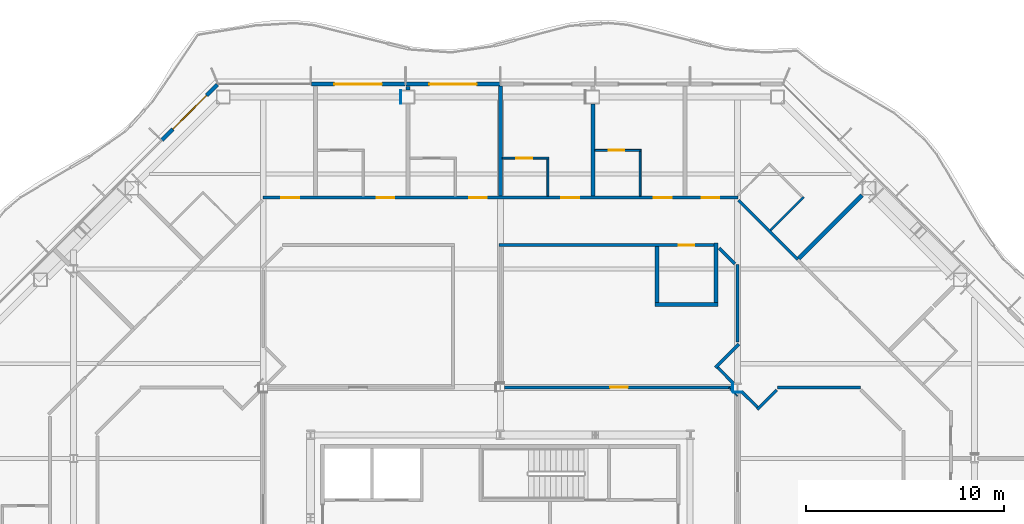
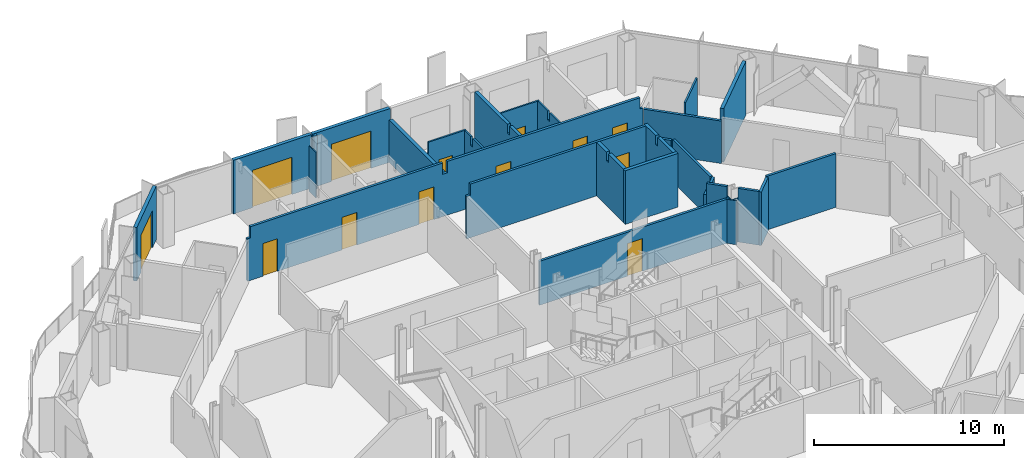
# One storey, part 13 of 21: 30 walls, 13 doors, 13 openings.
"""IFC4 building model written with IfcOpenShell, lengths in metres."""

from ifc_helpers import new_model, si_unit, direction, frame, frame_2d, origin, place, context, subcontext, project, spatial, polyline, rectangle, outline, extrude, material, layer, layer_set, type_object, element, fill, save


model = new_model("IFC4")

# Units and contexts
model_context = context("Model", 3, precision=1e-05, world=origin(), true_north=direction((0.0, 1.0)))
body_context = subcontext(model_context, "Body", "Model", "MODEL_VIEW")
ifc_project = project(units=[si_unit("LENGTHUNIT", "METRE"), si_unit("AREAUNIT", "SQUARE_METRE"), si_unit("VOLUMEUNIT", "CUBIC_METRE"), si_unit("PLANEANGLEUNIT", "RADIAN"), si_unit("MASSUNIT", "GRAM", prefix="KILO")], contexts=[model_context])

# Site, building, storey
site_placement = place(None, origin())
site = spatial("IfcSite", under=ifc_project, at=site_placement, CompositionType="ELEMENT")
building_placement = place(site_placement, origin())
building = spatial("IfcBuilding", under=site, at=building_placement, Name="Cairn Pilgrim Tower", CompositionType="ELEMENT")
storey_placement = place(building_placement, frame((0.0, 0.0, 136.199951171875)))
storey = spatial("IfcBuildingStorey", under=building, at=storey_placement, Name="L33", CompositionType="ELEMENT", Elevation=136.199951171875)

# Wall, opening, door
ifc_material_1 = material(Name="Bronze anodised aluminium insulated sandwich panel with mineral wool fill", Category="aluminium")
ifc_layer_1 = layer(ifc_material_1, 0.199951171875)
ifc_layer_set_1 = layer_set([ifc_layer_1], Name="BRONZE INFILL FRAME WALL 200")
wall_type_1 = type_object("IfcWallType", Name="BRONZE INFILL FRAME WALL 200", PredefinedType="NOTDEFINED", material=ifc_layer_set_1)
wall_1_placement = place(storey_placement, frame((7.169921875, 28.550048828125, 0.0), z_axis=(0.0, 0.0, 1.0), x_axis=(-1.0, 0.0, 0.0)))
wall_1 = element("IfcWall", 1, at=wall_1_placement, inside=storey, type_object=wall_type_1, Name="Bronze infill frame wall IW-N4", PredefinedType="NOTDEFINED", context=body_context, shape_type="SweptSolid", body=[
    extrude(rectangle(XDim=4.739990234375, YDim=0.199951171875, at=frame_2d((2.3701171875, 0.0))), origin(), (0.0, 0.0, 1.0), 3.449951171875),
])
opening_1_placement = place(wall_1_placement, frame((1.169921875, 0.0, 0.0)))
opening_1 = element("IfcOpeningElement", 2, at=opening_1_placement, cuts=wall_1, Name="Opening 3313B", PredefinedType="OPENING", context=body_context, shape_type="SweptSolid", body=[
    extrude(rectangle(XDim=2.39990234375, YDim=2.39990234375, at=frame_2d((1.199951171875, 1.199951171875))), frame((0.0, 0.10986328125, 0.0), z_axis=(0.0, -1.0, 0.0), x_axis=(1.0, 0.0, 0.0)), (0.0, 0.0, 1.0), 0.219970703125),
])
ifc_material_2 = material(Name="Bronze anodised aluminium frame with tinted low-E glass", Category="aluminium")
door_type_1 = type_object("IfcDoorType", Name="BALCONY SLIDING DOOR 2400x2400", OperationType="DOUBLE_DOOR_SLIDING", PredefinedType="DOOR", material=ifc_material_2)
door_1_placement = place(opening_1_placement, origin())
door_1 = element("IfcDoor", 3, at=door_1_placement, inside=storey, type_object=door_type_1, Name="Balcony sliding door 3313B", OperationType="SINGLE_SWING_LEFT", OverallHeight=2.39990234375, OverallWidth=2.39990234375, PredefinedType="DOOR", context=body_context, shape_type="SweptSolid", body=[
    extrude(rectangle(XDim=2.39990234375, YDim=2.39990234375, at=frame_2d((1.199951171875, 1.199951171875))), frame((0.0, 0.02490234375, 0.0), z_axis=(0.0, -1.0, 0.0), x_axis=(1.0, 0.0, 0.0)), (0.0, 0.0, 1.0), 0.050048828125),
])
fill(opening_1, door_1)

wall_2_placement = place(storey_placement, frame((2.3701171875, 28.550048828125, 0.0), z_axis=(0.0, 0.0, 1.0), x_axis=(-1.0, 0.0, 0.0)))
wall_2 = element("IfcWall", 4, at=wall_2_placement, inside=storey, type_object=wall_type_1, Name="Bronze infill frame wall IW-N5", PredefinedType="NOTDEFINED", context=body_context, shape_type="SweptSolid", body=[
    extrude(rectangle(XDim=4.740234375, YDim=0.199951171875, at=frame_2d((2.3701171875, 0.0))), origin(), (0.0, 0.0, 1.0), 3.449951171875),
])
opening_2_placement = place(wall_2_placement, frame((1.169677734375, 0.0, 0.0)))
opening_2 = element("IfcOpeningElement", 5, at=opening_2_placement, cuts=wall_2, Name="Opening 3314B", PredefinedType="OPENING", context=body_context, shape_type="SweptSolid", body=[
    extrude(rectangle(XDim=2.39990234375, YDim=2.39990234375, at=frame_2d((1.199951171875, 1.199951171875))), frame((0.0, 0.10986328125, 0.0), z_axis=(0.0, -1.0, 0.0), x_axis=(1.0, 0.0, 0.0)), (0.0, 0.0, 1.0), 0.219970703125),
])
door_2_placement = place(opening_2_placement, origin())
door_2 = element("IfcDoor", 6, at=door_2_placement, inside=storey, type_object=door_type_1, Name="Balcony sliding door 3314B", OperationType="SINGLE_SWING_LEFT", OverallHeight=2.39990234375, OverallWidth=2.39990234375, PredefinedType="DOOR", context=body_context, shape_type="SweptSolid", body=[
    extrude(rectangle(XDim=2.39990234375, YDim=2.39990234375, at=frame_2d((1.199951171875, 1.199951171875))), frame((0.0, 0.02490234375, 0.0), z_axis=(0.0, -1.0, 0.0), x_axis=(1.0, 0.0, 0.0)), (0.0, 0.0, 1.0), 0.050048828125),
])
fill(opening_2, door_2)

wall_3_placement = place(storey_placement, frame((-7.124755859375, 28.521728515625, 0.0), z_axis=(0.0, 0.0, 1.0), x_axis=(-0.707106781187, -0.707106781187, 0.0)))
wall_3 = element("IfcWall", 7, at=wall_3_placement, inside=storey, type_object=wall_type_1, Name="Bronze infill frame wall IW-NW1", PredefinedType="NOTDEFINED", context=body_context, shape_type="SweptSolid", body=[
    extrude(rectangle(XDim=3.961669921875, YDim=0.199951171875, at=frame_2d((1.98095703125, 0.0))), origin(), (0.0, 0.0, 1.0), 3.449951171875),
])
opening_3_placement = place(wall_3_placement, frame((0.775390625, 0.0, 0.0)))
opening_3 = element("IfcOpeningElement", 8, at=opening_3_placement, cuts=wall_3, Name="Opening 3315B", PredefinedType="OPENING", context=body_context, shape_type="SweptSolid", body=[
    extrude(rectangle(XDim=2.39990234375, YDim=2.39990234375, at=frame_2d((1.199951171875, 1.199951171875))), frame((0.0, 0.10986328125, 0.0), z_axis=(0.0, -1.0, 0.0), x_axis=(1.0, 0.0, 0.0)), (0.0, 0.0, 1.0), 0.219970703125),
])
door_3_placement = place(opening_3_placement, origin())
door_3 = element("IfcDoor", 9, at=door_3_placement, inside=storey, type_object=door_type_1, Name="Balcony sliding door 3315B", OperationType="SINGLE_SWING_LEFT", OverallHeight=2.39990234375, OverallWidth=2.39990234375, PredefinedType="DOOR", context=body_context, shape_type="SweptSolid", body=[
    extrude(rectangle(XDim=2.39990234375, YDim=2.39990234375, at=frame_2d((1.199951171875, 1.199951171875))), frame((0.0, 0.02490234375, 0.0), z_axis=(0.0, -1.0, 0.0), x_axis=(1.0, 0.0, 0.0)), (0.0, 0.0, 1.0), 0.050048828125),
])
fill(opening_3, door_3)

# Walls
ifc_material_3 = material(Name="Gypsum partition")
ifc_layer_2 = layer(ifc_material_3, 0.10009765625)
ifc_layer_set_2 = layer_set([ifc_layer_2], Name="PARTITION 100 DRYWALL")
wall_type_2 = type_object("IfcWallType", Name="PARTITION 100 DRYWALL", PredefinedType="PARTITIONING", material=ifc_layer_set_2)
wall_4_placement = place(storey_placement, frame((20.864990234375, 21.156005859375, 0.0), z_axis=(0.0, 0.0, 1.0), x_axis=(0.707106781187, 0.707106781187, 0.0)))
element("IfcWall", 10, at=wall_4_placement, inside=storey, type_object=wall_type_2, Name="PARTITION W110", PredefinedType="PARTITIONING", context=body_context, shape_type="SweptSolid", body=[
    extrude(rectangle(XDim=2.374755859375, YDim=0.10009765625, at=frame_2d((1.1875, 0.0))), origin(), (0.0, 0.0, 1.0), 3.449951171875),
])
wall_5_placement = place(storey_placement, frame((9.60009765625, 22.875, 0.0), z_axis=(0.0, 0.0, 1.0), x_axis=(0.0, 1.0, 0.0)))
element("IfcWall", 11, at=wall_5_placement, inside=storey, type_object=wall_type_2, Name="PARTITION W121", PredefinedType="PARTITIONING", context=body_context, shape_type="SweptSolid", body=[
    extrude(outline(polyline([(0.0, 0.0), (1.875, 0.0), (1.875, 3.449951171875), (1.22998046875, 3.449951171875), (1.22802734375, 2.880126953125), (1.02001953125, 2.880126953125), (1.01806640625, 3.449951171875), (0.0, 3.449951171875), (0.0, 0.0)])), frame((0.0, 0.050048828125, 0.0), z_axis=(0.0, -1.0, 0.0), x_axis=(1.0, 0.0, 0.0)), (0.0, 0.0, 1.0), 0.10009765625),
])
wall_6_placement = place(storey_placement, frame((14.27587890625, 22.875, 0.0), z_axis=(0.0, 0.0, 1.0), x_axis=(0.0, 1.0, 0.0)))
element("IfcWall", 12, at=wall_6_placement, inside=storey, type_object=wall_type_2, Name="PARTITION W123", PredefinedType="PARTITIONING", context=body_context, shape_type="SweptSolid", body=[
    extrude(outline(polyline([(0.0, 0.0), (2.27490234375, 0.0), (2.27490234375, 3.449951171875), (1.22998046875, 3.449951171875), (1.22802734375, 2.880126953125), (1.02001953125, 2.880126953125), (1.01806640625, 3.449951171875), (0.0, 3.449951171875), (0.0, 0.0)])), frame((0.0, 0.050048828125, 0.0), z_axis=(0.0, -1.0, 0.0), x_axis=(1.0, 0.0, 0.0)), (0.0, 0.0, 1.0), 0.10009765625),
])

# Wall, opening, door
wall_7_placement = place(storey_placement, frame((7.300048828125, 24.800048828125, 0.0), z_axis=(0.0, 0.0, 1.0), x_axis=(1.0, 0.0, 0.0)))
wall_7 = element("IfcWall", 13, at=wall_7_placement, inside=storey, type_object=wall_type_2, Name="PARTITION W127", PredefinedType="PARTITIONING", context=body_context, shape_type="SweptSolid", body=[
    extrude(outline(polyline([(0.0, 0.0), (2.349853515625, 0.0), (2.35009765625, 3.449951171875), (0.050048828125, 3.449951171875), (0.048095703125, 2.72998046875), (0.0, 2.72998046875), (0.0, 0.0)])), frame((0.0, 0.050048828125, 0.0), z_axis=(0.0, -1.0, 0.0), x_axis=(1.0, 0.0, 0.0)), (0.0, 0.0, 1.0), 0.10009765625),
])
opening_4_placement = place(wall_7_placement, frame((0.699951171875, 0.0, 0.0)))
opening_4 = element("IfcOpeningElement", 14, at=opening_4_placement, cuts=wall_7, Name="Opening 3312A", PredefinedType="OPENING", context=body_context, shape_type="SweptSolid", body=[
    extrude(rectangle(XDim=0.800048828125, YDim=2.10009765625, at=frame_2d((0.39990234375, 1.050048828125))), frame((0.0, 0.06005859375, 0.0), z_axis=(0.0, -1.0, 0.0), x_axis=(1.0, 0.0, 0.0)), (0.0, 0.0, 1.0), 0.1201171875),
])
ifc_material_4 = material(Name="Timber door leaf", Category="wood")
door_type_2 = type_object("IfcDoorType", Name="WC DOOR 800x2100", OperationType="NOTDEFINED", PredefinedType="DOOR", material=ifc_material_4)
door_4_placement = place(opening_4_placement, origin())
door_4 = element("IfcDoor", 15, at=door_4_placement, inside=storey, type_object=door_type_2, Name="DOOR 3312A", OperationType="SINGLE_SWING_RIGHT", OverallHeight=2.10009765625, OverallWidth=0.800048828125, PredefinedType="DOOR", context=body_context, shape_type="SweptSolid", body=[
    extrude(rectangle(XDim=0.800048828125, YDim=2.10009765625, at=frame_2d((0.39990234375, 1.050048828125))), frame((0.0, 0.02490234375, 0.0), z_axis=(0.0, -1.0, 0.0), x_axis=(1.0, 0.0, 0.0)), (0.0, 0.0, 1.0), 0.050048828125),
])
fill(opening_4, door_4)

wall_8_placement = place(storey_placement, frame((11.97607421875, 25.199951171875, 0.0), z_axis=(0.0, 0.0, 1.0), x_axis=(1.0, 0.0, 0.0)))
wall_8 = element("IfcWall", 16, at=wall_8_placement, inside=storey, type_object=wall_type_2, Name="PARTITION W129", PredefinedType="PARTITIONING", context=body_context, shape_type="SweptSolid", body=[
    extrude(rectangle(XDim=2.349853515625, YDim=0.10009765625, at=frame_2d((1.1748046875, 0.0))), origin(), (0.0, 0.0, 1.0), 3.449951171875),
])
opening_5_placement = place(wall_8_placement, frame((0.699951171875, 0.0, 0.0)))
opening_5 = element("IfcOpeningElement", 17, at=opening_5_placement, cuts=wall_8, Name="Opening 3311A", PredefinedType="OPENING", context=body_context, shape_type="SweptSolid", body=[
    extrude(rectangle(XDim=0.800048828125, YDim=2.10009765625, at=frame_2d((0.39990234375, 1.050048828125))), frame((0.0, 0.06005859375, 0.0), z_axis=(0.0, -1.0, 0.0), x_axis=(1.0, 0.0, 0.0)), (0.0, 0.0, 1.0), 0.1201171875),
])
door_5_placement = place(opening_5_placement, origin())
door_5 = element("IfcDoor", 18, at=door_5_placement, inside=storey, type_object=door_type_2, Name="DOOR 3311A", OperationType="SINGLE_SWING_RIGHT", OverallHeight=2.10009765625, OverallWidth=0.800048828125, PredefinedType="DOOR", context=body_context, shape_type="SweptSolid", body=[
    extrude(rectangle(XDim=0.800048828125, YDim=2.10009765625, at=frame_2d((0.39990234375, 1.050048828125))), frame((0.0, 0.02490234375, 0.0), z_axis=(0.0, -1.0, 0.0), x_axis=(1.0, 0.0, 0.0)), (0.0, 0.0, 1.0), 0.050048828125),
])
fill(opening_5, door_5)

# Walls
ifc_layer_3 = layer(ifc_material_3, 0.14990234375)
ifc_layer_set_3 = layer_set([ifc_layer_3], Name="PARTITION 150 DRYWALL EI 60")
wall_type_3 = type_object("IfcWallType", Name="PARTITION 150 DRYWALL EI 60", PredefinedType="PARTITIONING", material=ifc_layer_set_3)
wall_9_placement = place(storey_placement, frame((20.2080078125, 12.0859375, 0.0), z_axis=(0.0, 0.0, 1.0), x_axis=(0.706756381459, 0.707457007363, 0.0)))
element("IfcWall", 19, at=wall_9_placement, inside=storey, type_object=wall_type_3, Name="PARTITION W074", PredefinedType="PARTITIONING", context=body_context, shape_type="SweptSolid", body=[
    extrude(rectangle(XDim=1.393798828125, YDim=0.14990234375, at=frame_2d((0.69677734375, 0.0))), origin(), (0.0, 0.0, 1.0), 3.449951171875),
])
wall_10_placement = place(storey_placement, frame((20.2080078125, 12.192138671875, 0.0), z_axis=(0.0, 0.0, 1.0), x_axis=(-0.70721474466, 0.706998801226, 0.0)))
element("IfcWall", 20, at=wall_10_placement, inside=storey, type_object=wall_type_3, Name="PARTITION W076", PredefinedType="PARTITIONING", context=body_context, shape_type="SweptSolid", body=[
    extrude(rectangle(XDim=1.130615234375, YDim=0.14990234375, at=frame_2d((0.5654296875, 0.0))), origin(), (0.0, 0.0, 1.0), 3.449951171875),
])

# Wall, opening, door
wall_11_placement = place(storey_placement, frame((7.404541015625, 13.199951171875, 0.0), z_axis=(0.0, 0.0, 1.0), x_axis=(1.0, 0.0, 0.0)))
wall_11 = element("IfcWall", 21, at=wall_11_placement, inside=storey, type_object=wall_type_3, Name="PARTITION W079", PredefinedType="PARTITIONING", context=body_context, shape_type="SweptSolid", body=[
    extrude(rectangle(XDim=11.591064453125, YDim=0.14990234375, at=frame_2d((5.79541015625, 0.0))), origin(), (0.0, 0.0, 1.0), 2.830078125),
])
opening_6_placement = place(wall_11_placement, frame((5.345458984375, 0.0, 0.0)))
opening_6 = element("IfcOpeningElement", 22, at=opening_6_placement, cuts=wall_11, Name="Opening 3327", PredefinedType="OPENING", context=body_context, shape_type="SweptSolid", body=[
    extrude(rectangle(XDim=0.89990234375, YDim=2.10009765625, at=frame_2d((0.449951171875, 1.050048828125))), frame((0.0, 0.0849609375, 0.0), z_axis=(0.0, -1.0, 0.0), x_axis=(1.0, 0.0, 0.0)), (0.0, 0.0, 1.0), 0.169921875),
])
door_type_3 = type_object("IfcDoorType", Name="SERVICE DOOR 900x2100 FD30S", OperationType="NOTDEFINED", PredefinedType="DOOR", material=ifc_material_4)
door_6_placement = place(opening_6_placement, origin())
door_6 = element("IfcDoor", 23, at=door_6_placement, inside=storey, type_object=door_type_3, Name="DOOR 3327", OperationType="SINGLE_SWING_LEFT", OverallHeight=2.10009765625, OverallWidth=0.89990234375, PredefinedType="DOOR", context=body_context, shape_type="SweptSolid", body=[
    extrude(rectangle(XDim=0.89990234375, YDim=2.10009765625, at=frame_2d((0.449951171875, 1.050048828125))), frame((0.0, 0.02490234375, 0.0), z_axis=(0.0, -1.0, 0.0), x_axis=(1.0, 0.0, 0.0)), (0.0, 0.0, 1.0), 0.050048828125),
])
fill(opening_6, door_6)

# Walls
wall_12_placement = place(storey_placement, frame((21.215087890625, 13.199951171875, 0.0), z_axis=(0.0, 0.0, 1.0), x_axis=(1.0, 0.0, 0.0)))
element("IfcWall", 24, at=wall_12_placement, inside=storey, type_object=wall_type_3, Name="PARTITION W080", PredefinedType="PARTITIONING", context=body_context, shape_type="SweptSolid", body=[
    extrude(rectangle(XDim=4.2119140625, YDim=0.14990234375, at=frame_2d((2.10595703125, 0.0))), origin(), (0.0, 0.0, 1.0), 3.449951171875),
])
wall_13_placement = place(storey_placement, frame((18.991455078125, 13.408447265625, 0.0), z_axis=(0.0, 0.0, 1.0), x_axis=(-0.706998801226, 0.70721474466, 0.0)))
element("IfcWall", 25, at=wall_13_placement, inside=storey, type_object=wall_type_3, Name="PARTITION W085", PredefinedType="PARTITIONING", context=body_context, shape_type="SweptSolid", body=[
    extrude(rectangle(XDim=1.130615234375, YDim=0.14990234375, at=frame_2d((0.5654296875, 0.0))), origin(), (0.0, 0.0, 1.0), 3.449951171875),
])
wall_14_placement = place(storey_placement, frame((18.0859375, 14.2080078125, 0.0), z_axis=(0.0, 0.0, 1.0), x_axis=(0.70739723372, 0.706816209298, 0.0)))
element("IfcWall", 26, at=wall_14_placement, inside=storey, type_object=wall_type_3, Name="PARTITION W087", PredefinedType="PARTITIONING", context=body_context, shape_type="SweptSolid", body=[
    extrude(rectangle(XDim=1.6806640625, YDim=0.14990234375, at=frame_2d((0.84033203125, 0.0))), origin(), (0.0, 0.0, 1.0), 2.72998046875),
])
wall_15_placement = place(storey_placement, frame((19.199951171875, 15.501953125, 0.0), z_axis=(0.0, 0.0, 1.0), x_axis=(0.0, 1.0, 0.0)))
element("IfcWall", 27, at=wall_15_placement, inside=storey, type_object=wall_type_3, Name="PARTITION W093", PredefinedType="PARTITIONING", context=body_context, shape_type="SweptSolid", body=[
    extrude(rectangle(XDim=3.925048828125, YDim=0.14990234375, at=frame_2d((1.96240234375, 0.0))), origin(), (0.0, 0.0, 1.0), 2.72998046875),
])
wall_16_placement = place(storey_placement, frame((19.072021484375, 19.448974609375, 0.0), z_axis=(0.0, 0.0, 1.0), x_axis=(-0.707106781187, 0.707106781187, 0.0)))
element("IfcWall", 28, at=wall_16_placement, inside=storey, type_object=wall_type_3, Name="PARTITION W104", PredefinedType="PARTITIONING", context=body_context, shape_type="SweptSolid", body=[
    extrude(rectangle(XDim=1.12841796875, YDim=0.14990234375, at=frame_2d((0.564208984375, 0.0))), origin(), (0.0, 0.0, 1.0), 2.72998046875),
])
wall_17_placement = place(storey_placement, frame((22.2451171875, 19.669921875, 0.0), z_axis=(0.0, 0.0, 1.0), x_axis=(-0.707106781187, 0.707106781187, 0.0)))
element("IfcWall", 29, at=wall_17_placement, inside=storey, type_object=wall_type_3, Name="PARTITION W106", PredefinedType="PARTITIONING", context=body_context, shape_type="SweptSolid", body=[
    extrude(rectangle(XDim=4.245849609375, YDim=0.14990234375, at=frame_2d((2.123046875, 0.0))), origin(), (0.0, 0.0, 1.0), 2.72998046875),
])

# Wall, opening, door
wall_18_placement = place(storey_placement, frame((7.125, 20.39990234375, 0.0), z_axis=(0.0, 0.0, 1.0), x_axis=(1.0, 0.0, 0.0)))
wall_18 = element("IfcWall", 30, at=wall_18_placement, inside=storey, type_object=wall_type_3, Name="PARTITION W109", PredefinedType="PARTITIONING", context=body_context, shape_type="SweptSolid", body=[
    extrude(outline(polyline([(0.0, 0.0), (10.89599609375, 0.0), (10.89599609375, 3.449951171875), (0.22509765625, 3.449951171875), (0.222900390625, 2.72998046875), (0.0, 2.72998046875), (0.0, 0.0)])), frame((0.0, 0.074951171875, 0.0), z_axis=(0.0, -1.0, 0.0), x_axis=(1.0, 0.0, 0.0)), (0.0, 0.0, 1.0), 0.14990234375),
])
opening_7_placement = place(wall_18_placement, frame((9.095947265625, 0.0, 0.0)))
opening_7 = element("IfcOpeningElement", 31, at=opening_7_placement, cuts=wall_18, Name="Opening 3323", PredefinedType="OPENING", context=body_context, shape_type="SweptSolid", body=[
    extrude(rectangle(XDim=0.800048828125, YDim=2.10009765625, at=frame_2d((0.39990234375, 1.050048828125))), frame((0.0, 0.0849609375, 0.0), z_axis=(0.0, -1.0, 0.0), x_axis=(1.0, 0.0, 0.0)), (0.0, 0.0, 1.0), 0.169921875),
])
door_type_4 = type_object("IfcDoorType", Name="WC DOOR 800x2100 FD30S", OperationType="NOTDEFINED", PredefinedType="DOOR", material=ifc_material_4)
door_7_placement = place(opening_7_placement, frame((0.800048828125, 0.0, 0.0), z_axis=(0.0, 0.0, 1.0), x_axis=(-1.0, 0.0, 0.0)))
door_7 = element("IfcDoor", 32, at=door_7_placement, inside=storey, type_object=door_type_4, Name="DOOR 3323", OperationType="SINGLE_SWING_LEFT", OverallHeight=2.10009765625, OverallWidth=0.800048828125, PredefinedType="DOOR", context=body_context, shape_type="SweptSolid", body=[
    extrude(rectangle(XDim=0.800048828125, YDim=2.10009765625, at=frame_2d((0.39990234375, 1.050048828125))), frame((0.0, 0.02490234375, 0.0), z_axis=(0.0, -1.0, 0.0), x_axis=(1.0, 0.0, 0.0)), (0.0, 0.0, 1.0), 0.050048828125),
])
fill(opening_7, door_7)

# Wall, openings, doors
wall_19_placement = place(storey_placement, frame((-4.821044921875, 22.800048828125, 0.0), z_axis=(0.0, 0.0, 1.0), x_axis=(1.0, 0.0, 0.0)))
wall_19 = element("IfcWall", 33, at=wall_19_placement, inside=storey, type_object=wall_type_3, Name="PARTITION W114", PredefinedType="PARTITIONING", context=body_context, shape_type="SweptSolid", body=[
    extrude(outline(polyline([(0.0, 0.0), (24.0419921875, 0.0), (24.0419921875, 2.72998046875), (23.87109375, 2.72998046875), (23.869140625, 3.449951171875), (12.171142578125, 3.449951171875), (12.169189453125, 2.72998046875), (11.87109375, 2.72998046875), (11.869140625, 3.449951171875), (0.171142578125, 3.449951171875), (0.169189453125, 2.72998046875), (0.0, 2.72998046875), (0.0, 0.0)])), frame((0.0, 0.074951171875, 0.0), z_axis=(0.0, -1.0, 0.0), x_axis=(1.0, 0.0, 0.0)), (0.0, 0.0, 1.0), 0.14990234375),
])
opening_8_placement = place(wall_19_placement, frame((22.205078125, 0.0, 0.0)))
opening_8 = element("IfcOpeningElement", 34, at=opening_8_placement, cuts=wall_19, Name="Opening 3310", PredefinedType="OPENING", context=body_context, shape_type="SweptSolid", body=[
    extrude(rectangle(XDim=0.89990234375, YDim=2.10009765625, at=frame_2d((0.449951171875, 1.050048828125))), frame((0.0, 0.0849609375, 0.0), z_axis=(0.0, -1.0, 0.0), x_axis=(1.0, 0.0, 0.0)), (0.0, 0.0, 1.0), 0.169921875),
])
opening_9_placement = place(wall_19_placement, frame((19.78515625, 0.0, 0.0)))
opening_9 = element("IfcOpeningElement", 35, at=opening_9_placement, cuts=wall_19, Name="Opening 3311", PredefinedType="OPENING", context=body_context, shape_type="SweptSolid", body=[
    extrude(rectangle(XDim=0.89990234375, YDim=2.10009765625, at=frame_2d((0.449951171875, 1.050048828125))), frame((0.0, 0.0849609375, 0.0), z_axis=(0.0, -1.0, 0.0), x_axis=(1.0, 0.0, 0.0)), (0.0, 0.0, 1.0), 0.169921875),
])
opening_10_placement = place(wall_19_placement, frame((15.109130859375, 0.0, 0.0)))
opening_10 = element("IfcOpeningElement", 36, at=opening_10_placement, cuts=wall_19, Name="Opening 3312", PredefinedType="OPENING", context=body_context, shape_type="SweptSolid", body=[
    extrude(rectangle(XDim=0.89990234375, YDim=2.10009765625, at=frame_2d((0.449951171875, 1.050048828125))), frame((0.0, 0.0849609375, 0.0), z_axis=(0.0, -1.0, 0.0), x_axis=(1.0, 0.0, 0.0)), (0.0, 0.0, 1.0), 0.169921875),
])
opening_11_placement = place(wall_19_placement, frame((10.43310546875, 0.0, 0.0)))
opening_11 = element("IfcOpeningElement", 37, at=opening_11_placement, cuts=wall_19, Name="Opening 3313", PredefinedType="OPENING", context=body_context, shape_type="SweptSolid", body=[
    extrude(rectangle(XDim=0.89990234375, YDim=2.10009765625, at=frame_2d((0.449951171875, 1.050048828125))), frame((0.0, 0.0849609375, 0.0), z_axis=(0.0, -1.0, 0.0), x_axis=(1.0, 0.0, 0.0)), (0.0, 0.0, 1.0), 0.169921875),
])
opening_12_placement = place(wall_19_placement, frame((5.757080078125, 0.0, 0.0)))
opening_12 = element("IfcOpeningElement", 38, at=opening_12_placement, cuts=wall_19, Name="Opening 3314", PredefinedType="OPENING", context=body_context, shape_type="SweptSolid", body=[
    extrude(rectangle(XDim=0.89990234375, YDim=2.10009765625, at=frame_2d((0.449951171875, 1.050048828125))), frame((0.0, 0.0849609375, 0.0), z_axis=(0.0, -1.0, 0.0), x_axis=(1.0, 0.0, 0.0)), (0.0, 0.0, 1.0), 0.169921875),
])
opening_13_placement = place(wall_19_placement, frame((0.93798828125, 0.0, 0.0)))
opening_13 = element("IfcOpeningElement", 39, at=opening_13_placement, cuts=wall_19, Name="Opening 3315", PredefinedType="OPENING", context=body_context, shape_type="SweptSolid", body=[
    extrude(rectangle(XDim=0.89990234375, YDim=2.10009765625, at=frame_2d((0.449951171875, 1.050048828125))), frame((0.0, 0.0849609375, 0.0), z_axis=(0.0, -1.0, 0.0), x_axis=(1.0, 0.0, 0.0)), (0.0, 0.0, 1.0), 0.169921875),
])
door_type_5 = type_object("IfcDoorType", Name="ROOM DOOR 900x2100 FD30S", OperationType="NOTDEFINED", PredefinedType="DOOR", material=ifc_material_4)
door_8_placement = place(opening_8_placement, origin())
door_8 = element("IfcDoor", 40, at=door_8_placement, inside=storey, type_object=door_type_5, Name="DOOR 3310", OperationType="SINGLE_SWING_RIGHT", OverallHeight=2.10009765625, OverallWidth=0.89990234375, PredefinedType="DOOR", context=body_context, shape_type="SweptSolid", body=[
    extrude(rectangle(XDim=0.89990234375, YDim=2.10009765625, at=frame_2d((0.449951171875, 1.050048828125))), frame((0.0, 0.02490234375, 0.0), z_axis=(0.0, -1.0, 0.0), x_axis=(1.0, 0.0, 0.0)), (0.0, 0.0, 1.0), 0.050048828125),
])
fill(opening_8, door_8)
door_9_placement = place(opening_9_placement, origin())
door_9 = element("IfcDoor", 41, at=door_9_placement, inside=storey, type_object=door_type_5, Name="DOOR 3311", OperationType="SINGLE_SWING_RIGHT", OverallHeight=2.10009765625, OverallWidth=0.89990234375, PredefinedType="DOOR", context=body_context, shape_type="SweptSolid", body=[
    extrude(rectangle(XDim=0.89990234375, YDim=2.10009765625, at=frame_2d((0.449951171875, 1.050048828125))), frame((0.0, 0.02490234375, 0.0), z_axis=(0.0, -1.0, 0.0), x_axis=(1.0, 0.0, 0.0)), (0.0, 0.0, 1.0), 0.050048828125),
])
fill(opening_9, door_9)
door_10_placement = place(opening_10_placement, origin())
door_10 = element("IfcDoor", 42, at=door_10_placement, inside=storey, type_object=door_type_5, Name="DOOR 3312", OperationType="SINGLE_SWING_RIGHT", OverallHeight=2.10009765625, OverallWidth=0.89990234375, PredefinedType="DOOR", context=body_context, shape_type="SweptSolid", body=[
    extrude(rectangle(XDim=0.89990234375, YDim=2.10009765625, at=frame_2d((0.449951171875, 1.050048828125))), frame((0.0, 0.02490234375, 0.0), z_axis=(0.0, -1.0, 0.0), x_axis=(1.0, 0.0, 0.0)), (0.0, 0.0, 1.0), 0.050048828125),
])
fill(opening_10, door_10)
door_11_placement = place(opening_11_placement, origin())
door_11 = element("IfcDoor", 43, at=door_11_placement, inside=storey, type_object=door_type_5, Name="DOOR 3313", OperationType="SINGLE_SWING_RIGHT", OverallHeight=2.10009765625, OverallWidth=0.89990234375, PredefinedType="DOOR", context=body_context, shape_type="SweptSolid", body=[
    extrude(rectangle(XDim=0.89990234375, YDim=2.10009765625, at=frame_2d((0.449951171875, 1.050048828125))), frame((0.0, 0.02490234375, 0.0), z_axis=(0.0, -1.0, 0.0), x_axis=(1.0, 0.0, 0.0)), (0.0, 0.0, 1.0), 0.050048828125),
])
fill(opening_11, door_11)
door_12_placement = place(opening_12_placement, origin())
door_12 = element("IfcDoor", 44, at=door_12_placement, inside=storey, type_object=door_type_5, Name="DOOR 3314", OperationType="SINGLE_SWING_RIGHT", OverallHeight=2.10009765625, OverallWidth=0.89990234375, PredefinedType="DOOR", context=body_context, shape_type="SweptSolid", body=[
    extrude(rectangle(XDim=0.89990234375, YDim=2.10009765625, at=frame_2d((0.449951171875, 1.050048828125))), frame((0.0, 0.02490234375, 0.0), z_axis=(0.0, -1.0, 0.0), x_axis=(1.0, 0.0, 0.0)), (0.0, 0.0, 1.0), 0.050048828125),
])
fill(opening_12, door_12)
door_13_placement = place(opening_13_placement, origin())
door_13 = element("IfcDoor", 45, at=door_13_placement, inside=storey, type_object=door_type_5, Name="DOOR 3315", OperationType="SINGLE_SWING_RIGHT", OverallHeight=2.10009765625, OverallWidth=0.89990234375, PredefinedType="DOOR", context=body_context, shape_type="SweptSolid", body=[
    extrude(rectangle(XDim=0.89990234375, YDim=2.10009765625, at=frame_2d((0.449951171875, 1.050048828125))), frame((0.0, 0.02490234375, 0.0), z_axis=(0.0, -1.0, 0.0), x_axis=(1.0, 0.0, 0.0)), (0.0, 0.0, 1.0), 0.050048828125),
])
fill(opening_13, door_13)

# Walls
ifc_layer_4 = layer(ifc_material_3, 0.050048828125)
ifc_layer_set_4 = layer_set([ifc_layer_4], Name="PARTITION 50 DRYWALL EI 60")
wall_type_4 = type_object("IfcWallType", Name="PARTITION 50 DRYWALL EI 60", PredefinedType="PARTITIONING", material=ifc_layer_set_4)
wall_20_placement = place(storey_placement, frame((18.970458984375, 12.987548828125, 0.0), z_axis=(0.0, 0.0, 1.0), x_axis=(0.0, 1.0, 0.0)))
element("IfcWall", 46, at=wall_20_placement, inside=storey, type_object=wall_type_4, Name="COLUMN CASING WC20", PredefinedType="PARTITIONING", context=body_context, shape_type="SweptSolid", body=[
    extrude(rectangle(XDim=0.425048828125, YDim=0.050048828125, at=frame_2d((0.21240234375, 0.0))), origin(), (0.0, 0.0, 1.0), 2.830078125),
])
wall_21_placement = place(storey_placement, frame((19.182373046875, 12.765380859375, 0.0), z_axis=(0.0, 0.0, 1.0), x_axis=(-0.707106781187, 0.707106781187, 0.0)))
element("IfcWall", 47, at=wall_21_placement, inside=storey, type_object=wall_type_4, Name="COLUMN CASING WC25", PredefinedType="PARTITIONING", context=body_context, shape_type="SweptSolid", body=[
    extrude(rectangle(XDim=0.589599609375, YDim=0.050048828125, at=frame_2d((0.294921875, 0.0))), origin(), (0.0, 0.0, 1.0), 2.830078125),
])
wall_22_placement = place(storey_placement, frame((18.99560546875, 12.96240234375, 0.0), z_axis=(0.0, 0.0, 1.0), x_axis=(1.0, 0.0, 0.0)))
element("IfcWall", 48, at=wall_22_placement, inside=storey, type_object=wall_type_4, Name="COLUMN CASING WC28", PredefinedType="PARTITIONING", context=body_context, shape_type="SweptSolid", body=[
    extrude(rectangle(XDim=0.408935546875, YDim=0.050048828125, at=frame_2d((0.20458984375, 0.0))), origin(), (0.0, 0.0, 1.0), 2.830078125),
])
wall_23_placement = place(storey_placement, frame((2.1494140625, 27.550048828125, 0.0), z_axis=(0.0, 0.0, 1.0), x_axis=(0.0, 1.0, 0.0)))
element("IfcWall", 49, at=wall_23_placement, inside=storey, type_object=wall_type_4, Name="COLUMN CASING WC37", PredefinedType="PARTITIONING", context=body_context, shape_type="SweptSolid", body=[
    extrude(rectangle(XDim=0.699951171875, YDim=0.050048828125, at=frame_2d((0.35009765625, 0.0))), origin(), (0.0, 0.0, 1.0), 2.929931640625),
])
ifc_layer_5 = layer(ifc_material_3, 0.199951171875)
ifc_layer_set_5 = layer_set([ifc_layer_5], Name="SHAFT WALL 200 GYPSUM EI 60")
wall_type_5 = type_object("IfcWallType", Name="SHAFT WALL 200 GYPSUM EI 60", PredefinedType="PARTITIONING", material=ifc_layer_set_5)
wall_24_placement = place(storey_placement, frame((15.02099609375, 17.39990234375, 0.0), z_axis=(0.0, 0.0, 1.0), x_axis=(1.0, 0.0, 0.0)))
element("IfcWall", 50, at=wall_24_placement, inside=storey, type_object=wall_type_5, Name="PARTITION W097", PredefinedType="PARTITIONING", context=body_context, shape_type="SweptSolid", body=[
    extrude(rectangle(XDim=3.199951171875, YDim=0.199951171875, at=frame_2d((1.60009765625, 0.0))), origin(), (0.0, 0.0, 1.0), 3.449951171875),
])
wall_25_placement = place(storey_placement, frame((15.12109375, 17.5, 0.0), z_axis=(0.0, 0.0, 1.0), x_axis=(0.0, 1.0, 0.0)))
element("IfcWall", 51, at=wall_25_placement, inside=storey, type_object=wall_type_5, Name="PARTITION W098", PredefinedType="PARTITIONING", context=body_context, shape_type="SweptSolid", body=[
    extrude(outline(polyline([(0.0, 0.0), (2.824951171875, 0.0), (2.824951171875, 3.449951171875), (1.804931640625, 3.449951171875), (1.802978515625, 2.880126953125), (1.594970703125, 2.880126953125), (1.593017578125, 3.449951171875), (0.0, 3.449951171875), (0.0, 0.0)])), frame((0.0, 0.10009765625, 0.0), z_axis=(0.0, -1.0, 0.0), x_axis=(1.0, 0.0, 0.0)), (0.0, 0.0, 1.0), 0.199951171875),
])
wall_26_placement = place(storey_placement, frame((18.12109375, 17.5, 0.0), z_axis=(0.0, 0.0, 1.0), x_axis=(0.0, 1.0, 0.0)))
element("IfcWall", 52, at=wall_26_placement, inside=storey, type_object=wall_type_5, Name="PARTITION W099", PredefinedType="PARTITIONING", context=body_context, shape_type="SweptSolid", body=[
    extrude(outline(polyline([(0.0, 0.0), (3.016357421875, 0.0), (3.016357421875, 3.449951171875), (1.804931640625, 3.449951171875), (1.802978515625, 2.880126953125), (1.594970703125, 2.880126953125), (1.593017578125, 3.449951171875), (0.0, 3.449951171875), (0.0, 0.0)])), frame((0.0, 0.10009765625, 0.0), z_axis=(0.0, -1.0, 0.0), x_axis=(1.0, 0.0, 0.0)), (0.0, 0.0, 1.0), 0.199951171875),
])
wall_27_placement = place(storey_placement, frame((22.298095703125, 19.722900390625, 0.0), z_axis=(0.0, 0.0, 1.0), x_axis=(0.707160674466, 0.707052883799, 0.0)))
element("IfcWall", 53, at=wall_27_placement, inside=storey, type_object=wall_type_5, Name="PARTITION W107", PredefinedType="PARTITIONING", context=body_context, shape_type="SweptSolid", body=[
    extrude(rectangle(XDim=4.52978515625, YDim=0.199951171875, at=frame_2d((2.264892578125, 0.0))), origin(), (0.0, 0.0, 1.0), 3.449951171875),
])
wall_28_placement = place(storey_placement, frame((7.199951171875, 22.875, 0.0), z_axis=(0.0, 0.0, 1.0), x_axis=(0.0, 1.0, 0.0)))
element("IfcWall", 54, at=wall_28_placement, inside=storey, type_object=wall_type_5, Name="PARTITION W120", PredefinedType="PARTITIONING", context=body_context, shape_type="SweptSolid", body=[
    extrude(rectangle(XDim=5.574951171875, YDim=0.199951171875, at=frame_2d((2.78759765625, 0.0))), origin(), (0.0, 0.0, 1.0), 2.72998046875),
])
wall_29_placement = place(storey_placement, frame((11.8759765625, 22.875, 0.0), z_axis=(0.0, 0.0, 1.0), x_axis=(0.0, 1.0, 0.0)))
element("IfcWall", 55, at=wall_29_placement, inside=storey, type_object=wall_type_5, Name="PARTITION W122", PredefinedType="PARTITIONING", context=body_context, shape_type="SweptSolid", body=[
    extrude(outline(polyline([(0.0, 0.0), (4.675048828125, 0.0), (4.675048828125, 3.449951171875), (1.22998046875, 3.449951171875), (1.22802734375, 2.880126953125), (1.02001953125, 2.880126953125), (1.01806640625, 3.449951171875), (0.0, 3.449951171875), (0.0, 0.0)])), frame((0.0, 0.10009765625, 0.0), z_axis=(0.0, -1.0, 0.0), x_axis=(1.0, 0.0, 0.0)), (0.0, 0.0, 1.0), 0.199951171875),
])
wall_30_placement = place(storey_placement, frame((2.52392578125, 28.25, 0.0), z_axis=(0.0, 0.0, 1.0), x_axis=(0.0, 1.0, 0.0)))
element("IfcWall", 56, at=wall_30_placement, inside=storey, type_object=wall_type_5, Name="PARTITION W130", PredefinedType="PARTITIONING", context=body_context, shape_type="SweptSolid", body=[
    extrude(rectangle(XDim=0.169921875, YDim=0.199951171875, at=frame_2d((0.0849609375, 0.0))), origin(), (0.0, 0.0, 1.0), 3.449951171875),
])

save(model, "model.ifc")
